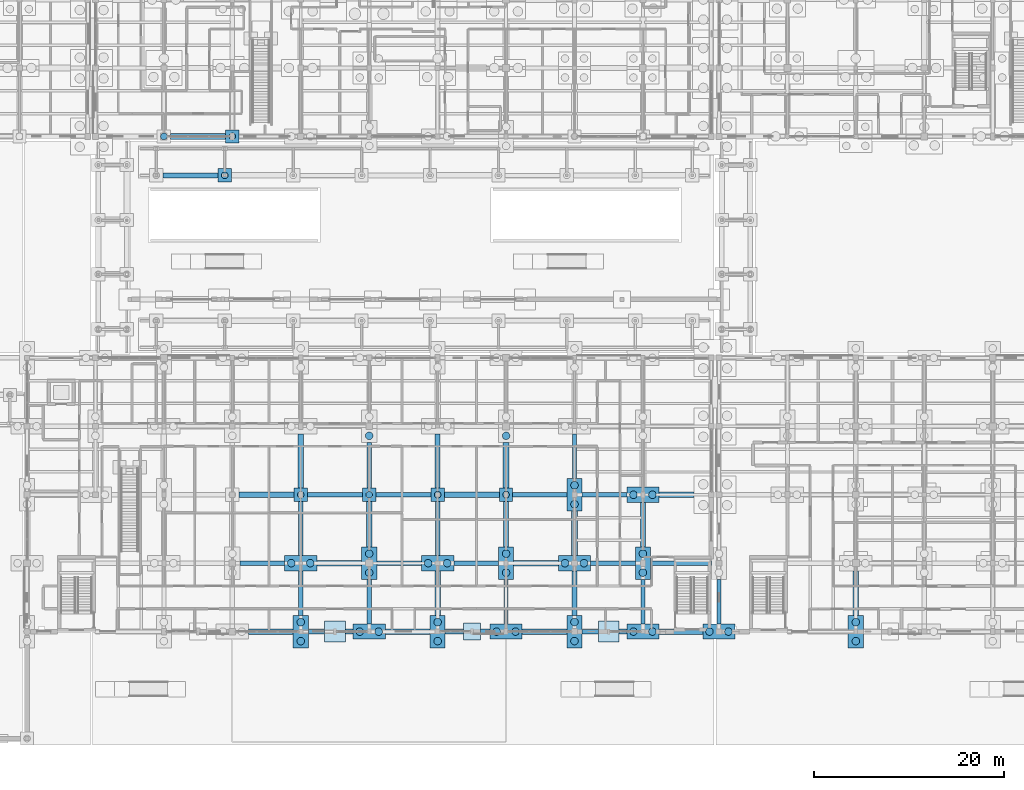
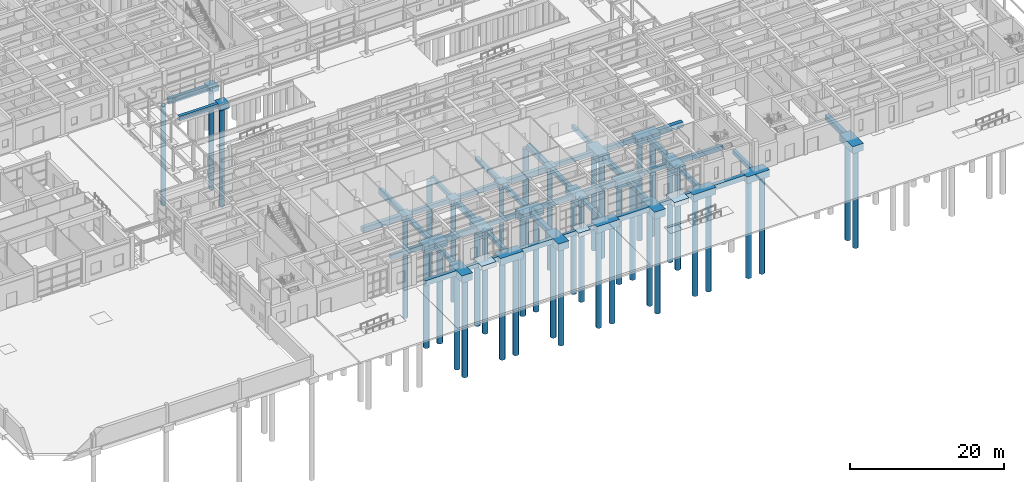
# One storey, part 3 of 143: 70 footings, 41 piles.
"""IFC4 building model written with IfcOpenShell, lengths in metres."""

from ifc_helpers import new_model, si_unit, direction, frame, origin, origin_2d, place, context, subcontext, project, spatial, rectangle, circle, extrude, material, material_profile, profile_set, type_object, element, save


model = new_model("IFC4")

# Units and contexts
model_context = context("Model", 3, precision=1e-05, world=origin(), true_north=direction((0.0, 1.0)))
body_context = subcontext(model_context, "Body", "Model", "MODEL_VIEW")
ifc_project = project(units=[si_unit("LENGTHUNIT", "METRE"), si_unit("AREAUNIT", "SQUARE_METRE"), si_unit("VOLUMEUNIT", "CUBIC_METRE"), si_unit("PLANEANGLEUNIT", "RADIAN"), si_unit("MASSUNIT", "GRAM", prefix="KILO")], contexts=[model_context])

# Site, building, storey
site_placement = place(None, origin())
site = spatial("IfcSite", under=ifc_project, at=site_placement, CompositionType="ELEMENT")
building_placement = place(site_placement, origin())
building = spatial("IfcBuilding", under=site, at=building_placement, Name="Steenspoor Specialist Clinic", CompositionType="ELEMENT")
storey_placement = place(building_placement, origin())
storey = spatial("IfcBuildingStorey", under=building, at=storey_placement, Name="L00", CompositionType="ELEMENT", Elevation=0.0)

# Footings
ifc_material = material(Name="Concrete C35/45", Category="concrete")
footing_type_1 = type_object("IfcFootingType", Name="FTG-PAD-180", PredefinedType="PAD_FOOTING", material=ifc_material)
footing_1_placement = place(storey_placement, frame((92.0, 13.050048828125, -0.64990234375), z_axis=(0.0, 0.0, 1.0), x_axis=(1.0, 0.0, 0.0)))
element("IfcFooting", 1, at=footing_1_placement, inside=storey, type_object=footing_type_1, Name="Pad Footing FTG-PAD-067", PredefinedType="PAD_FOOTING", context=body_context, shape_type="SweptSolid", body=[
    extrude(rectangle(XDim=1.800048828125, YDim=1.800048828125, at=origin_2d()), origin(), (0.0, 0.0, 1.0), 0.64990234375),
])
footing_type_2 = type_object("IfcFootingType", Name="FTG-PAD-220", PredefinedType="PAD_FOOTING", material=ifc_material)
for number, where, z_axis, x_axis, name in (
    (2, (77.60009765625, 13.050048828125, -0.75), (0.0, 0.0, 1.0), (1.0, 0.0, 0.0), "Pad Footing FTG-PAD-066"),
    (3, (106.39990234375, 13.050048828125, -0.75), (0.0, 0.0, 1.0), (1.0, 0.0, 0.0), "Pad Footing FTG-PAD-068"),
):
    element("IfcFooting", number, at=place(storey_placement, frame(where, z_axis=z_axis, x_axis=x_axis)), inside=storey, type_object=footing_type_2, Name=name, PredefinedType="PAD_FOOTING", context=body_context, shape_type="SweptSolid", body=[
        extrude(rectangle(XDim=2.199951171875, YDim=2.199951171875, at=origin_2d()), origin(), (0.0, 0.0, 1.0), 0.75),
    ])
footing_type_3 = type_object("IfcFootingType", Name="FTG-PC-1P-700", PredefinedType="PILE_CAP", material=ifc_material)
for number, where, z_axis, x_axis, name in (
    (4, (74.0, 27.449951171875, -0.89990234375), (0.0, 0.0, 1.0), (1.0, 0.0, 0.0), "Pile Cap FTG-PC-021"),
    (5, (81.199951171875, 27.449951171875, -0.89990234375), (0.0, 0.0, 1.0), (1.0, 0.0, 0.0), "Pile Cap FTG-PC-026"),
    (6, (88.39990234375, 27.449951171875, -0.89990234375), (0.0, 0.0, 1.0), (1.0, 0.0, 0.0), "Pile Cap FTG-PC-031"),
    (7, (95.60009765625, 27.449951171875, -0.89990234375), (0.0, 0.0, 1.0), (1.0, 0.0, 0.0), "Pile Cap FTG-PC-036"),
    (8, (66.800048828125, 65.14990234375, -0.89990234375), (0.0, 0.0, 1.0), (1.0, 0.0, 0.0), "Pile Cap FTG-PC-114"),
    (9, (66.0, 61.050048828125, -0.89990234375), (0.0, 0.0, 1.0), (1.0, 0.0, 0.0), "Pad Footing FTG-PAD-029"),
):
    element("IfcFooting", number, at=place(storey_placement, frame(where, z_axis=z_axis, x_axis=x_axis)), inside=storey, type_object=footing_type_3, Name=name, PredefinedType="PILE_CAP", context=body_context, shape_type="SweptSolid", body=[
        extrude(rectangle(XDim=1.39990234375, YDim=1.39990234375, at=origin_2d()), origin(), (0.0, 0.0, 1.0), 0.89990234375),
    ])
footing_type_4 = type_object("IfcFootingType", Name="FTG-PC-2P-800X", PredefinedType="PILE_CAP", material=ifc_material)
for number, where, z_axis, x_axis, name in (
    (10, (74.0, 20.25, -1.10009765625), (0.0, 0.0, 1.0), (1.0, 0.0, 0.0), "Pile Cap FTG-PC-020"),
    (11, (81.199951171875, 13.050048828125, -1.10009765625), (0.0, 0.0, 1.0), (1.0, 0.0, 0.0), "Pile Cap FTG-PC-024"),
    (12, (88.39990234375, 20.25, -1.10009765625), (0.0, 0.0, 1.0), (1.0, 0.0, 0.0), "Pile Cap FTG-PC-030"),
    (13, (95.60009765625, 13.050048828125, -1.10009765625), (0.0, 0.0, 1.0), (1.0, 0.0, 0.0), "Pile Cap FTG-PC-034"),
    (14, (102.800048828125, 20.25, -1.10009765625), (0.0, 0.0, 1.0), (1.0, 0.0, 0.0), "Pile Cap FTG-PC-040"),
    (15, (110.0, 13.050048828125, -1.10009765625), (0.0, 0.0, 1.0), (1.0, 0.0, 0.0), "Pile Cap FTG-PC-044"),
    (16, (110.0, 27.449951171875, -1.10009765625), (0.0, 0.0, 1.0), (1.0, 0.0, 0.0), "Pile Cap FTG-PC-046"),
    (17, (118.0, 13.050048828125, -1.10009765625), (0.0, 0.0, 1.0), (1.0, 0.0, 0.0), "Pile Cap FTG-PC-052"),
):
    element("IfcFooting", number, at=place(storey_placement, frame(where, z_axis=z_axis, x_axis=x_axis)), inside=storey, type_object=footing_type_4, Name=name, PredefinedType="PILE_CAP", context=body_context, shape_type="SweptSolid", body=[
        extrude(rectangle(XDim=3.39990234375, YDim=1.60009765625, at=origin_2d()), origin(), (0.0, 0.0, 1.0), 1.10009765625),
    ])
footing_type_5 = type_object("IfcFootingType", Name="FTG-PC-2P-800Y", PredefinedType="PILE_CAP", material=ifc_material)
for number, where, z_axis, x_axis, name in (
    (18, (74.0, 13.050048828125, -1.14990234375), (0.0, 0.0, 1.0), (1.0, 0.0, 0.0), "Pile Cap FTG-PC-019"),
    (19, (81.199951171875, 20.25, -1.14990234375), (0.0, 0.0, 1.0), (1.0, 0.0, 0.0), "Pile Cap FTG-PC-025"),
    (20, (88.39990234375, 13.050048828125, -1.14990234375), (0.0, 0.0, 1.0), (1.0, 0.0, 0.0), "Pile Cap FTG-PC-029"),
    (21, (95.60009765625, 20.25, -1.14990234375), (0.0, 0.0, 1.0), (1.0, 0.0, 0.0), "Pile Cap FTG-PC-035"),
    (22, (102.800048828125, 13.050048828125, -1.14990234375), (0.0, 0.0, 1.0), (1.0, 0.0, 0.0), "Pile Cap FTG-PC-039"),
    (23, (102.800048828125, 27.449951171875, -1.14990234375), (0.0, 0.0, 1.0), (1.0, 0.0, 0.0), "Pile Cap FTG-PC-041"),
    (24, (110.0, 20.25, -1.14990234375), (0.0, 0.0, 1.0), (1.0, 0.0, 0.0), "Pile Cap FTG-PC-045"),
    (25, (132.39990234375, 13.050048828125, -1.14990234375), (0.0, 0.0, 1.0), (1.0, 0.0, 0.0), "Pile Cap FTG-PC-057"),
):
    element("IfcFooting", number, at=place(storey_placement, frame(where, z_axis=z_axis, x_axis=x_axis)), inside=storey, type_object=footing_type_5, Name=name, PredefinedType="PILE_CAP", context=body_context, shape_type="SweptSolid", body=[
        extrude(rectangle(XDim=1.60009765625, YDim=3.39990234375, at=origin_2d()), origin(), (0.0, 0.0, 1.0), 1.14990234375),
    ])
footing_type_6 = type_object("IfcFootingType", Name="FTG-TB-450X650", PredefinedType="FOOTING_BEAM", material=ifc_material)
footing_2_placement = place(storey_placement, frame((75.64990234375, 13.050048828125, -0.64990234375), z_axis=(0.0, 0.0, 1.0), x_axis=(1.0, 0.0, 0.0)))
element("IfcFooting", 26, at=footing_2_placement, inside=storey, type_object=footing_type_6, Name="Seismic Tie Beam FTG-TB-005", PredefinedType="FOOTING_BEAM", context=body_context, shape_type="SweptSolid", body=[
    extrude(rectangle(XDim=1.699951171875, YDim=0.449951171875, at=origin_2d()), origin(), (0.0, 0.0, 1.0), 0.64990234375),
])
footing_3_placement = place(storey_placement, frame((90.14990234375, 13.050048828125, -0.64990234375), z_axis=(0.0, 0.0, 1.0), x_axis=(1.0, 0.0, 0.0)))
element("IfcFooting", 27, at=footing_3_placement, inside=storey, type_object=footing_type_6, Name="Seismic Tie Beam FTG-TB-008", PredefinedType="FOOTING_BEAM", context=body_context, shape_type="SweptSolid", body=[
    extrude(rectangle(XDim=1.89990234375, YDim=0.449951171875, at=origin_2d()), origin(), (0.0, 0.0, 1.0), 0.64990234375),
])
footing_4_placement = place(storey_placement, frame((104.449951171875, 13.050048828125, -0.64990234375), z_axis=(0.0, 0.0, 1.0), x_axis=(1.0, 0.0, 0.0)))
element("IfcFooting", 28, at=footing_4_placement, inside=storey, type_object=footing_type_6, Name="Seismic Tie Beam FTG-TB-011", PredefinedType="FOOTING_BEAM", context=body_context, shape_type="SweptSolid", body=[
    extrude(rectangle(XDim=1.699951171875, YDim=0.449951171875, at=origin_2d()), origin(), (0.0, 0.0, 1.0), 0.64990234375),
])
for number, where, z_axis, x_axis, name in (
    (29, (84.35009765625, 20.25, -0.64990234375), (0.0, 0.0, 1.0), (1.0, 0.0, 0.0), "Seismic Tie Beam FTG-TB-023"),
    (30, (106.85009765625, 20.25, -0.64990234375), (0.0, 0.0, 1.0), (1.0, 0.0, 0.0), "Seismic Tie Beam FTG-TB-026"),
):
    element("IfcFooting", number, at=place(storey_placement, frame(where, z_axis=z_axis, x_axis=x_axis)), inside=storey, type_object=footing_type_6, Name=name, PredefinedType="FOOTING_BEAM", context=body_context, shape_type="SweptSolid", body=[
        extrude(rectangle(XDim=4.699951171875, YDim=0.449951171875, at=origin_2d()), origin(), (0.0, 0.0, 1.0), 0.64990234375),
    ])
footing_5_placement = place(storey_placement, frame((77.60009765625, 27.449951171875, -0.64990234375), z_axis=(0.0, 0.0, 1.0), x_axis=(1.0, 0.0, 0.0)))
element("IfcFooting", 31, at=footing_5_placement, inside=storey, type_object=footing_type_6, Name="Seismic Tie Beam FTG-TB-035", PredefinedType="FOOTING_BEAM", context=body_context, shape_type="SweptSolid", body=[
    extrude(rectangle(XDim=5.800048828125, YDim=0.449951171875, at=origin_2d()), origin(), (0.0, 0.0, 1.0), 0.64990234375),
])
footing_6_placement = place(storey_placement, frame((99.14990234375, 27.449951171875, -0.64990234375), z_axis=(0.0, 0.0, 1.0), x_axis=(1.0, 0.0, 0.0)))
element("IfcFooting", 32, at=footing_6_placement, inside=storey, type_object=footing_type_6, Name="Seismic Tie Beam FTG-TB-038", PredefinedType="FOOTING_BEAM", context=body_context, shape_type="SweptSolid", body=[
    extrude(rectangle(XDim=5.699951171875, YDim=0.449951171875, at=origin_2d()), origin(), (0.0, 0.0, 1.0), 0.64990234375),
])
footing_7_placement = place(storey_placement, frame((74.0, 17.10009765625, -0.64990234375), z_axis=(0.0, 0.0, 1.0), x_axis=(1.0, 0.0, 0.0)))
element("IfcFooting", 33, at=footing_7_placement, inside=storey, type_object=footing_type_6, Name="Seismic Tie Beam FTG-TB-347", PredefinedType="FOOTING_BEAM", context=body_context, shape_type="SweptSolid", body=[
    extrude(rectangle(XDim=0.449951171875, YDim=4.699951171875, at=origin_2d()), origin(), (0.0, 0.0, 1.0), 0.64990234375),
])
footing_8_placement = place(storey_placement, frame((81.199951171875, 30.550048828125, -0.64990234375), z_axis=(0.0, 0.0, 1.0), x_axis=(1.0, 0.0, 0.0)))
element("IfcFooting", 34, at=footing_8_placement, inside=storey, type_object=footing_type_6, Name="Seismic Tie Beam FTG-TB-359", PredefinedType="FOOTING_BEAM", context=body_context, shape_type="SweptSolid", body=[
    extrude(rectangle(XDim=0.449951171875, YDim=4.800048828125, at=origin_2d()), origin(), (0.0, 0.0, 1.0), 0.64990234375),
])
footing_9_placement = place(storey_placement, frame((88.39990234375, 23.89990234375, -0.64990234375), z_axis=(0.0, 0.0, 1.0), x_axis=(1.0, 0.0, 0.0)))
element("IfcFooting", 35, at=footing_9_placement, inside=storey, type_object=footing_type_6, Name="Seismic Tie Beam FTG-TB-368", PredefinedType="FOOTING_BEAM", context=body_context, shape_type="SweptSolid", body=[
    extrude(rectangle(XDim=0.449951171875, YDim=5.699951171875, at=origin_2d()), origin(), (0.0, 0.0, 1.0), 0.64990234375),
])
for number, where, z_axis, x_axis, name in (
    (36, (95.60009765625, 16.199951171875, -0.64990234375), (0.0, 0.0, 1.0), (1.0, 0.0, 0.0), "Seismic Tie Beam FTG-TB-377"),
    (37, (102.800048828125, 31.5, -0.64990234375), (0.0, 0.0, 1.0), (1.0, 0.0, 0.0), "Seismic Tie Beam FTG-TB-389"),
    (38, (110.0, 16.199951171875, -0.64990234375), (0.0, 0.0, 1.0), (1.0, 0.0, 0.0), "Seismic Tie Beam FTG-TB-395"),
    (39, (118.0, 16.199951171875, -0.64990234375), (0.0, 0.0, 1.0), (1.0, 0.0, 0.0), "Seismic Tie Beam FTG-TB-413"),
):
    element("IfcFooting", number, at=place(storey_placement, frame(where, z_axis=z_axis, x_axis=x_axis)), inside=storey, type_object=footing_type_6, Name=name, PredefinedType="FOOTING_BEAM", context=body_context, shape_type="SweptSolid", body=[
        extrude(rectangle(XDim=0.449951171875, YDim=4.699951171875, at=origin_2d()), origin(), (0.0, 0.0, 1.0), 0.64990234375),
    ])
footing_type_7 = type_object("IfcFootingType", Name="FTG-TB-500X700", PredefinedType="FOOTING_BEAM", material=ifc_material)
footing_10_placement = place(storey_placement, frame((79.10009765625, 13.050048828125, -0.7001953125), z_axis=(0.0, 0.0, 1.0), x_axis=(1.0, 0.0, 0.0)))
element("IfcFooting", 40, at=footing_10_placement, inside=storey, type_object=footing_type_7, Name="Seismic Tie Beam FTG-TB-006", PredefinedType="FOOTING_BEAM", context=body_context, shape_type="SweptSolid", body=[
    extrude(rectangle(XDim=0.800048828125, YDim=0.5, at=origin_2d()), origin(), (0.0, 0.0, 1.0), 0.699951171875),
])
footing_11_placement = place(storey_placement, frame((93.39990234375, 13.050048828125, -0.7001953125), z_axis=(0.0, 0.0, 1.0), x_axis=(1.0, 0.0, 0.0)))
element("IfcFooting", 41, at=footing_11_placement, inside=storey, type_object=footing_type_7, Name="Seismic Tie Beam FTG-TB-009", PredefinedType="FOOTING_BEAM", context=body_context, shape_type="SweptSolid", body=[
    extrude(rectangle(XDim=1.0, YDim=0.5, at=origin_2d()), origin(), (0.0, 0.0, 1.0), 0.699951171875),
])
footing_12_placement = place(storey_placement, frame((107.89990234375, 13.050048828125, -0.7001953125), z_axis=(0.0, 0.0, 1.0), x_axis=(1.0, 0.0, 0.0)))
element("IfcFooting", 42, at=footing_12_placement, inside=storey, type_object=footing_type_7, Name="Seismic Tie Beam FTG-TB-012", PredefinedType="FOOTING_BEAM", context=body_context, shape_type="SweptSolid", body=[
    extrude(rectangle(XDim=0.800048828125, YDim=0.5, at=origin_2d()), origin(), (0.0, 0.0, 1.0), 0.699951171875),
])
for number, where, z_axis, x_axis, name in (
    (43, (69.949951171875, 20.25, -0.7001953125), (0.0, 0.0, 1.0), (1.0, 0.0, 0.0), "Seismic Tie Beam FTG-TB-021"),
    (44, (92.449951171875, 20.25, -0.7001953125), (0.0, 0.0, 1.0), (1.0, 0.0, 0.0), "Seismic Tie Beam FTG-TB-024"),
):
    element("IfcFooting", number, at=place(storey_placement, frame(where, z_axis=z_axis, x_axis=x_axis)), inside=storey, type_object=footing_type_7, Name=name, PredefinedType="FOOTING_BEAM", context=body_context, shape_type="SweptSolid", body=[
        extrude(rectangle(XDim=4.699951171875, YDim=0.5, at=origin_2d()), origin(), (0.0, 0.0, 1.0), 0.699951171875),
    ])
footing_13_placement = place(storey_placement, frame((114.0, 20.25, -0.7001953125), z_axis=(0.0, 0.0, 1.0), x_axis=(1.0, 0.0, 0.0)))
element("IfcFooting", 45, at=footing_13_placement, inside=storey, type_object=footing_type_7, Name="Seismic Tie Beam FTG-TB-027", PredefinedType="FOOTING_BEAM", context=body_context, shape_type="SweptSolid", body=[
    extrude(rectangle(XDim=6.39990234375, YDim=0.5, at=origin_2d()), origin(), (0.0, 0.0, 1.0), 0.699951171875),
])
footing_14_placement = place(storey_placement, frame((84.800048828125, 27.449951171875, -0.7001953125), z_axis=(0.0, 0.0, 1.0), x_axis=(1.0, 0.0, 0.0)))
element("IfcFooting", 46, at=footing_14_placement, inside=storey, type_object=footing_type_7, Name="Seismic Tie Beam FTG-TB-036", PredefinedType="FOOTING_BEAM", context=body_context, shape_type="SweptSolid", body=[
    extrude(rectangle(XDim=5.800048828125, YDim=0.5, at=origin_2d()), origin(), (0.0, 0.0, 1.0), 0.699951171875),
])
footing_15_placement = place(storey_placement, frame((105.949951171875, 27.449951171875, -0.7001953125), z_axis=(0.0, 0.0, 1.0), x_axis=(1.0, 0.0, 0.0)))
element("IfcFooting", 47, at=footing_15_placement, inside=storey, type_object=footing_type_7, Name="Seismic Tie Beam FTG-TB-039", PredefinedType="FOOTING_BEAM", context=body_context, shape_type="SweptSolid", body=[
    extrude(rectangle(XDim=4.699951171875, YDim=0.5, at=origin_2d()), origin(), (0.0, 0.0, 1.0), 0.699951171875),
])
footing_16_placement = place(storey_placement, frame((62.39990234375, 61.050048828125, -0.7001953125), z_axis=(0.0, 0.0, 1.0), x_axis=(1.0, 0.0, 0.0)))
element("IfcFooting", 48, at=footing_16_placement, inside=storey, type_object=footing_type_7, Name="Seismic Tie Beam FTG-TB-120", PredefinedType="FOOTING_BEAM", context=body_context, shape_type="SweptSolid", body=[
    extrude(rectangle(XDim=5.800048828125, YDim=0.5, at=origin_2d()), origin(), (0.0, 0.0, 1.0), 0.699951171875),
])
footing_17_placement = place(storey_placement, frame((74.0, 23.89990234375, -0.7001953125), z_axis=(0.0, 0.0, 1.0), x_axis=(1.0, 0.0, 0.0)))
element("IfcFooting", 49, at=footing_17_placement, inside=storey, type_object=footing_type_7, Name="Seismic Tie Beam FTG-TB-348", PredefinedType="FOOTING_BEAM", context=body_context, shape_type="SweptSolid", body=[
    extrude(rectangle(XDim=0.5, YDim=5.699951171875, at=origin_2d()), origin(), (0.0, 0.0, 1.0), 0.699951171875),
])
footing_18_placement = place(storey_placement, frame((81.199951171875, 16.199951171875, -0.7001953125), z_axis=(0.0, 0.0, 1.0), x_axis=(1.0, 0.0, 0.0)))
element("IfcFooting", 50, at=footing_18_placement, inside=storey, type_object=footing_type_7, Name="Seismic Tie Beam FTG-TB-357", PredefinedType="FOOTING_BEAM", context=body_context, shape_type="SweptSolid", body=[
    extrude(rectangle(XDim=0.5, YDim=4.699951171875, at=origin_2d()), origin(), (0.0, 0.0, 1.0), 0.699951171875),
])
footing_19_placement = place(storey_placement, frame((88.39990234375, 31.0, -0.7001953125), z_axis=(0.0, 0.0, 1.0), x_axis=(1.0, 0.0, 0.0)))
element("IfcFooting", 51, at=footing_19_placement, inside=storey, type_object=footing_type_7, Name="Seismic Tie Beam FTG-TB-369", PredefinedType="FOOTING_BEAM", context=body_context, shape_type="SweptSolid", body=[
    extrude(rectangle(XDim=0.5, YDim=5.699951171875, at=origin_2d()), origin(), (0.0, 0.0, 1.0), 0.699951171875),
])
footing_20_placement = place(storey_placement, frame((95.60009765625, 24.35009765625, -0.7001953125), z_axis=(0.0, 0.0, 1.0), x_axis=(1.0, 0.0, 0.0)))
element("IfcFooting", 52, at=footing_20_placement, inside=storey, type_object=footing_type_7, Name="Seismic Tie Beam FTG-TB-378", PredefinedType="FOOTING_BEAM", context=body_context, shape_type="SweptSolid", body=[
    extrude(rectangle(XDim=0.5, YDim=4.800048828125, at=origin_2d()), origin(), (0.0, 0.0, 1.0), 0.699951171875),
])
for number, where, z_axis, x_axis, name in (
    (53, (102.800048828125, 17.10009765625, -0.7001953125), (0.0, 0.0, 1.0), (1.0, 0.0, 0.0), "Seismic Tie Beam FTG-TB-387"),
    (54, (110.0, 24.300048828125, -0.7001953125), (0.0, 0.0, 1.0), (1.0, 0.0, 0.0), "Seismic Tie Beam FTG-TB-396"),
):
    element("IfcFooting", number, at=place(storey_placement, frame(where, z_axis=z_axis, x_axis=x_axis)), inside=storey, type_object=footing_type_7, Name=name, PredefinedType="FOOTING_BEAM", context=body_context, shape_type="SweptSolid", body=[
        extrude(rectangle(XDim=0.5, YDim=4.699951171875, at=origin_2d()), origin(), (0.0, 0.0, 1.0), 0.699951171875),
    ])
footing_type_8 = type_object("IfcFootingType", Name="FTG-TB-600X800", PredefinedType="FOOTING_BEAM", material=ifc_material)
for number, where, z_axis, x_axis, name in (
    (55, (70.85009765625, 13.050048828125, -0.7998046875), (0.0, 0.0, 1.0), (1.0, 0.0, 0.0), "Seismic Tie Beam FTG-TB-004"),
    (56, (85.25, 13.050048828125, -0.7998046875), (0.0, 0.0, 1.0), (1.0, 0.0, 0.0), "Seismic Tie Beam FTG-TB-007"),
    (57, (99.64990234375, 13.050048828125, -0.7998046875), (0.0, 0.0, 1.0), (1.0, 0.0, 0.0), "Seismic Tie Beam FTG-TB-010"),
):
    element("IfcFooting", number, at=place(storey_placement, frame(where, z_axis=z_axis, x_axis=x_axis)), inside=storey, type_object=footing_type_8, Name=name, PredefinedType="FOOTING_BEAM", context=body_context, shape_type="SweptSolid", body=[
        extrude(rectangle(XDim=4.699951171875, YDim=0.60009765625, at=origin_2d()), origin(), (0.0, 0.0, 1.0), 0.800048828125),
    ])
footing_21_placement = place(storey_placement, frame((114.0, 13.050048828125, -0.7998046875), z_axis=(0.0, 0.0, 1.0), x_axis=(1.0, 0.0, 0.0)))
element("IfcFooting", 58, at=footing_21_placement, inside=storey, type_object=footing_type_8, Name="Seismic Tie Beam FTG-TB-013", PredefinedType="FOOTING_BEAM", context=body_context, shape_type="SweptSolid", body=[
    extrude(rectangle(XDim=4.60009765625, YDim=0.60009765625, at=origin_2d()), origin(), (0.0, 0.0, 1.0), 0.800048828125),
])
for number, where, z_axis, x_axis, name in (
    (59, (78.050048828125, 20.25, -0.7998046875), (0.0, 0.0, 1.0), (1.0, 0.0, 0.0), "Seismic Tie Beam FTG-TB-022"),
    (60, (98.75, 20.25, -0.7998046875), (0.0, 0.0, 1.0), (1.0, 0.0, 0.0), "Seismic Tie Beam FTG-TB-025"),
):
    element("IfcFooting", number, at=place(storey_placement, frame(where, z_axis=z_axis, x_axis=x_axis)), inside=storey, type_object=footing_type_8, Name=name, PredefinedType="FOOTING_BEAM", context=body_context, shape_type="SweptSolid", body=[
        extrude(rectangle(XDim=4.699951171875, YDim=0.60009765625, at=origin_2d()), origin(), (0.0, 0.0, 1.0), 0.800048828125),
    ])
for number, where, z_axis, x_axis, name in (
    (61, (70.39990234375, 27.449951171875, -0.7998046875), (0.0, 0.0, 1.0), (1.0, 0.0, 0.0), "Seismic Tie Beam FTG-TB-034"),
    (62, (92.0, 27.449951171875, -0.7998046875), (0.0, 0.0, 1.0), (1.0, 0.0, 0.0), "Seismic Tie Beam FTG-TB-037"),
):
    element("IfcFooting", number, at=place(storey_placement, frame(where, z_axis=z_axis, x_axis=x_axis)), inside=storey, type_object=footing_type_8, Name=name, PredefinedType="FOOTING_BEAM", context=body_context, shape_type="SweptSolid", body=[
        extrude(rectangle(XDim=5.800048828125, YDim=0.60009765625, at=origin_2d()), origin(), (0.0, 0.0, 1.0), 0.800048828125),
    ])
footing_22_placement = place(storey_placement, frame((113.550048828125, 27.449951171875, -0.7998046875), z_axis=(0.0, 0.0, 1.0), x_axis=(1.0, 0.0, 0.0)))
element("IfcFooting", 63, at=footing_22_placement, inside=storey, type_object=footing_type_8, Name="Seismic Tie Beam FTG-TB-040", PredefinedType="FOOTING_BEAM", context=body_context, shape_type="SweptSolid", body=[
    extrude(rectangle(XDim=3.699951171875, YDim=0.60009765625, at=origin_2d()), origin(), (0.0, 0.0, 1.0), 0.800048828125),
])
footing_23_placement = place(storey_placement, frame((63.199951171875, 65.14990234375, -0.7998046875), z_axis=(0.0, 0.0, 1.0), x_axis=(1.0, 0.0, 0.0)))
element("IfcFooting", 64, at=footing_23_placement, inside=storey, type_object=footing_type_8, Name="Seismic Tie Beam FTG-TB-136", PredefinedType="FOOTING_BEAM", context=body_context, shape_type="SweptSolid", body=[
    extrude(rectangle(XDim=5.800048828125, YDim=0.60009765625, at=origin_2d()), origin(), (0.0, 0.0, 1.0), 0.800048828125),
])
footing_24_placement = place(storey_placement, frame((74.0, 31.0, -0.7998046875), z_axis=(0.0, 0.0, 1.0), x_axis=(1.0, 0.0, 0.0)))
element("IfcFooting", 65, at=footing_24_placement, inside=storey, type_object=footing_type_8, Name="Seismic Tie Beam FTG-TB-349", PredefinedType="FOOTING_BEAM", context=body_context, shape_type="SweptSolid", body=[
    extrude(rectangle(XDim=0.60009765625, YDim=5.699951171875, at=origin_2d()), origin(), (0.0, 0.0, 1.0), 0.800048828125),
])
footing_25_placement = place(storey_placement, frame((81.199951171875, 24.35009765625, -0.7998046875), z_axis=(0.0, 0.0, 1.0), x_axis=(1.0, 0.0, 0.0)))
element("IfcFooting", 66, at=footing_25_placement, inside=storey, type_object=footing_type_8, Name="Seismic Tie Beam FTG-TB-358", PredefinedType="FOOTING_BEAM", context=body_context, shape_type="SweptSolid", body=[
    extrude(rectangle(XDim=0.60009765625, YDim=4.800048828125, at=origin_2d()), origin(), (0.0, 0.0, 1.0), 0.800048828125),
])
footing_26_placement = place(storey_placement, frame((88.39990234375, 17.10009765625, -0.7998046875), z_axis=(0.0, 0.0, 1.0), x_axis=(1.0, 0.0, 0.0)))
element("IfcFooting", 67, at=footing_26_placement, inside=storey, type_object=footing_type_8, Name="Seismic Tie Beam FTG-TB-367", PredefinedType="FOOTING_BEAM", context=body_context, shape_type="SweptSolid", body=[
    extrude(rectangle(XDim=0.60009765625, YDim=4.699951171875, at=origin_2d()), origin(), (0.0, 0.0, 1.0), 0.800048828125),
])
footing_27_placement = place(storey_placement, frame((95.60009765625, 30.550048828125, -0.7998046875), z_axis=(0.0, 0.0, 1.0), x_axis=(1.0, 0.0, 0.0)))
element("IfcFooting", 68, at=footing_27_placement, inside=storey, type_object=footing_type_8, Name="Seismic Tie Beam FTG-TB-379", PredefinedType="FOOTING_BEAM", context=body_context, shape_type="SweptSolid", body=[
    extrude(rectangle(XDim=0.60009765625, YDim=4.800048828125, at=origin_2d()), origin(), (0.0, 0.0, 1.0), 0.800048828125),
])
for number, where, z_axis, x_axis, name in (
    (69, (102.800048828125, 23.39990234375, -0.7998046875), (0.0, 0.0, 1.0), (1.0, 0.0, 0.0), "Seismic Tie Beam FTG-TB-388"),
    (70, (132.39990234375, 17.10009765625, -0.7998046875), (0.0, 0.0, 1.0), (1.0, 0.0, 0.0), "Seismic Tie Beam FTG-TB-427"),
):
    element("IfcFooting", number, at=place(storey_placement, frame(where, z_axis=z_axis, x_axis=x_axis)), inside=storey, type_object=footing_type_8, Name=name, PredefinedType="FOOTING_BEAM", context=body_context, shape_type="SweptSolid", body=[
        extrude(rectangle(XDim=0.60009765625, YDim=4.699951171875, at=origin_2d()), origin(), (0.0, 0.0, 1.0), 0.800048828125),
    ])

# Piles
ifc_material_profile_1 = material_profile(ifc_material, circle(Radius=0.35009765625, at=origin_2d()), Name="PILE-D700")
ifc_profile_set_1 = profile_set([ifc_material_profile_1], Name="Concrete C35/45")
pile_type_1 = type_object("IfcPileType", Name="PILE-RC-D700", PredefinedType="BORED", material=ifc_profile_set_1)
for number, where, z_axis, x_axis, name in (
    (71, (74.0, 27.449951171875, -0.800048828125), (0.0, 0.0, -1.0), (1.0, 0.0, 0.0), "Bored Pile PILE-0040"),
    (72, (81.199951171875, 27.449951171875, -0.800048828125), (0.0, 0.0, -1.0), (1.0, 0.0, 0.0), "Bored Pile PILE-0049"),
    (73, (88.39990234375, 27.449951171875, -0.800048828125), (0.0, 0.0, -1.0), (1.0, 0.0, 0.0), "Bored Pile PILE-0058"),
    (74, (95.60009765625, 27.449951171875, -0.800048828125), (0.0, 0.0, -1.0), (1.0, 0.0, 0.0), "Bored Pile PILE-0067"),
    (75, (59.60009765625, 65.14990234375, -0.800048828125), (0.0, 0.0, -1.0), (1.0, 0.0, 0.0), "Bored Pile PILE-0208"),
    (76, (66.800048828125, 65.14990234375, -0.800048828125), (0.0, 0.0, -1.0), (1.0, 0.0, 0.0), "Bored Pile PILE-0230"),
    (77, (66.0, 61.050048828125, -0.800048828125), (0.0, 0.0, -1.0), (1.0, 0.0, 0.0), "Bored Pile PILE-0638"),
):
    element("IfcPile", number, at=place(storey_placement, frame(where, z_axis=z_axis, x_axis=x_axis)), inside=storey, type_object=pile_type_1, Name=name, PredefinedType="BORED", context=body_context, shape_type="SweptSolid", body=[
        extrude(circle(Radius=0.35009765625, at=origin_2d()), origin(), (0.0, 0.0, 1.0), 15.699951171875),
    ])
ifc_material_profile_2 = material_profile(ifc_material, circle(Radius=0.39990234375, at=origin_2d()), Name="PILE-D800")
ifc_profile_set_2 = profile_set([ifc_material_profile_2], Name="Concrete C35/45")
pile_type_2 = type_object("IfcPileType", Name="PILE-RC-D800", PredefinedType="BORED", material=ifc_profile_set_2)
for number, where, z_axis, x_axis, name in (
    (78, (74.0, 12.050048828125, -1.050048828125), (0.0, 0.0, -1.0), (1.0, 0.0, 0.0), "Bored Pile PILE-0036"),
    (79, (74.0, 14.050048828125, -1.050048828125), (0.0, 0.0, -1.0), (1.0, 0.0, 0.0), "Bored Pile PILE-0037"),
):
    element("IfcPile", number, at=place(storey_placement, frame(where, z_axis=z_axis, x_axis=x_axis)), inside=storey, type_object=pile_type_2, Name=name, PredefinedType="BORED", context=body_context, shape_type="SweptSolid", body=[
        extrude(circle(Radius=0.39990234375, at=origin_2d()), origin(), (0.0, 0.0, 1.0), 15.449951171875),
    ])
for number, where, z_axis, x_axis, name in (
    (80, (73.0, 20.25, -1.0), (0.0, 0.0, -1.0), (1.0, 0.0, 0.0), "Bored Pile PILE-0038"),
    (81, (75.0, 20.25, -1.0), (0.0, 0.0, -1.0), (1.0, 0.0, 0.0), "Bored Pile PILE-0039"),
    (82, (80.199951171875, 13.050048828125, -1.0), (0.0, 0.0, -1.0), (1.0, 0.0, 0.0), "Bored Pile PILE-0045"),
    (83, (82.199951171875, 13.050048828125, -1.0), (0.0, 0.0, -1.0), (1.0, 0.0, 0.0), "Bored Pile PILE-0046"),
):
    element("IfcPile", number, at=place(storey_placement, frame(where, z_axis=z_axis, x_axis=x_axis)), inside=storey, type_object=pile_type_2, Name=name, PredefinedType="BORED", context=body_context, shape_type="SweptSolid", body=[
        extrude(circle(Radius=0.39990234375, at=origin_2d()), origin(), (0.0, 0.0, 1.0), 15.5),
    ])
for number, where, z_axis, x_axis, name in (
    (84, (81.199951171875, 19.25, -1.050048828125), (0.0, 0.0, -1.0), (1.0, 0.0, 0.0), "Bored Pile PILE-0047"),
    (85, (81.199951171875, 21.25, -1.050048828125), (0.0, 0.0, -1.0), (1.0, 0.0, 0.0), "Bored Pile PILE-0048"),
    (86, (81.199951171875, 33.64990234375, -1.050048828125), (0.0, 0.0, -1.0), (1.0, 0.0, 0.0), "Bored Pile PILE-0050"),
    (87, (88.39990234375, 12.050048828125, -1.050048828125), (0.0, 0.0, -1.0), (1.0, 0.0, 0.0), "Bored Pile PILE-0054"),
    (88, (88.39990234375, 14.050048828125, -1.050048828125), (0.0, 0.0, -1.0), (1.0, 0.0, 0.0), "Bored Pile PILE-0055"),
):
    element("IfcPile", number, at=place(storey_placement, frame(where, z_axis=z_axis, x_axis=x_axis)), inside=storey, type_object=pile_type_2, Name=name, PredefinedType="BORED", context=body_context, shape_type="SweptSolid", body=[
        extrude(circle(Radius=0.39990234375, at=origin_2d()), origin(), (0.0, 0.0, 1.0), 15.449951171875),
    ])
for number, where, z_axis, x_axis, name in (
    (89, (87.39990234375, 20.25, -1.0), (0.0, 0.0, -1.0), (1.0, 0.0, 0.0), "Bored Pile PILE-0056"),
    (90, (89.39990234375, 20.25, -1.0), (0.0, 0.0, -1.0), (1.0, 0.0, 0.0), "Bored Pile PILE-0057"),
    (91, (94.60009765625, 13.050048828125, -1.0), (0.0, 0.0, -1.0), (1.0, 0.0, 0.0), "Bored Pile PILE-0063"),
    (92, (96.60009765625, 13.050048828125, -1.0), (0.0, 0.0, -1.0), (1.0, 0.0, 0.0), "Bored Pile PILE-0064"),
):
    element("IfcPile", number, at=place(storey_placement, frame(where, z_axis=z_axis, x_axis=x_axis)), inside=storey, type_object=pile_type_2, Name=name, PredefinedType="BORED", context=body_context, shape_type="SweptSolid", body=[
        extrude(circle(Radius=0.39990234375, at=origin_2d()), origin(), (0.0, 0.0, 1.0), 15.5),
    ])
for number, where, z_axis, x_axis, name in (
    (93, (95.60009765625, 19.25, -1.050048828125), (0.0, 0.0, -1.0), (1.0, 0.0, 0.0), "Bored Pile PILE-0065"),
    (94, (95.60009765625, 21.25, -1.050048828125), (0.0, 0.0, -1.0), (1.0, 0.0, 0.0), "Bored Pile PILE-0066"),
    (95, (95.60009765625, 33.64990234375, -1.050048828125), (0.0, 0.0, -1.0), (1.0, 0.0, 0.0), "Bored Pile PILE-0068"),
    (96, (102.800048828125, 12.050048828125, -1.050048828125), (0.0, 0.0, -1.0), (1.0, 0.0, 0.0), "Bored Pile PILE-0072"),
    (97, (102.800048828125, 14.050048828125, -1.050048828125), (0.0, 0.0, -1.0), (1.0, 0.0, 0.0), "Bored Pile PILE-0073"),
):
    element("IfcPile", number, at=place(storey_placement, frame(where, z_axis=z_axis, x_axis=x_axis)), inside=storey, type_object=pile_type_2, Name=name, PredefinedType="BORED", context=body_context, shape_type="SweptSolid", body=[
        extrude(circle(Radius=0.39990234375, at=origin_2d()), origin(), (0.0, 0.0, 1.0), 15.449951171875),
    ])
for number, where, z_axis, x_axis, name in (
    (98, (101.800048828125, 20.25, -1.0), (0.0, 0.0, -1.0), (1.0, 0.0, 0.0), "Bored Pile PILE-0074"),
    (99, (103.800048828125, 20.25, -1.0), (0.0, 0.0, -1.0), (1.0, 0.0, 0.0), "Bored Pile PILE-0075"),
):
    element("IfcPile", number, at=place(storey_placement, frame(where, z_axis=z_axis, x_axis=x_axis)), inside=storey, type_object=pile_type_2, Name=name, PredefinedType="BORED", context=body_context, shape_type="SweptSolid", body=[
        extrude(circle(Radius=0.39990234375, at=origin_2d()), origin(), (0.0, 0.0, 1.0), 15.5),
    ])
for number, where, z_axis, x_axis, name in (
    (100, (102.800048828125, 26.449951171875, -1.050048828125), (0.0, 0.0, -1.0), (1.0, 0.0, 0.0), "Bored Pile PILE-0076"),
    (101, (102.800048828125, 28.449951171875, -1.050048828125), (0.0, 0.0, -1.0), (1.0, 0.0, 0.0), "Bored Pile PILE-0077"),
):
    element("IfcPile", number, at=place(storey_placement, frame(where, z_axis=z_axis, x_axis=x_axis)), inside=storey, type_object=pile_type_2, Name=name, PredefinedType="BORED", context=body_context, shape_type="SweptSolid", body=[
        extrude(circle(Radius=0.39990234375, at=origin_2d()), origin(), (0.0, 0.0, 1.0), 15.449951171875),
    ])
for number, where, z_axis, x_axis, name in (
    (102, (109.0, 13.050048828125, -1.0), (0.0, 0.0, -1.0), (1.0, 0.0, 0.0), "Bored Pile PILE-0082"),
    (103, (111.0, 13.050048828125, -1.0), (0.0, 0.0, -1.0), (1.0, 0.0, 0.0), "Bored Pile PILE-0083"),
):
    element("IfcPile", number, at=place(storey_placement, frame(where, z_axis=z_axis, x_axis=x_axis)), inside=storey, type_object=pile_type_2, Name=name, PredefinedType="BORED", context=body_context, shape_type="SweptSolid", body=[
        extrude(circle(Radius=0.39990234375, at=origin_2d()), origin(), (0.0, 0.0, 1.0), 15.5),
    ])
for number, where, z_axis, x_axis, name in (
    (104, (110.0, 19.25, -1.050048828125), (0.0, 0.0, -1.0), (1.0, 0.0, 0.0), "Bored Pile PILE-0084"),
    (105, (110.0, 21.25, -1.050048828125), (0.0, 0.0, -1.0), (1.0, 0.0, 0.0), "Bored Pile PILE-0085"),
):
    element("IfcPile", number, at=place(storey_placement, frame(where, z_axis=z_axis, x_axis=x_axis)), inside=storey, type_object=pile_type_2, Name=name, PredefinedType="BORED", context=body_context, shape_type="SweptSolid", body=[
        extrude(circle(Radius=0.39990234375, at=origin_2d()), origin(), (0.0, 0.0, 1.0), 15.449951171875),
    ])
for number, where, z_axis, x_axis, name in (
    (106, (109.0, 27.449951171875, -1.0), (0.0, 0.0, -1.0), (1.0, 0.0, 0.0), "Bored Pile PILE-0086"),
    (107, (111.0, 27.449951171875, -1.0), (0.0, 0.0, -1.0), (1.0, 0.0, 0.0), "Bored Pile PILE-0087"),
    (108, (117.0, 13.050048828125, -1.0), (0.0, 0.0, -1.0), (1.0, 0.0, 0.0), "Bored Pile PILE-0104"),
    (109, (119.0, 13.050048828125, -1.0), (0.0, 0.0, -1.0), (1.0, 0.0, 0.0), "Bored Pile PILE-0105"),
):
    element("IfcPile", number, at=place(storey_placement, frame(where, z_axis=z_axis, x_axis=x_axis)), inside=storey, type_object=pile_type_2, Name=name, PredefinedType="BORED", context=body_context, shape_type="SweptSolid", body=[
        extrude(circle(Radius=0.39990234375, at=origin_2d()), origin(), (0.0, 0.0, 1.0), 15.5),
    ])
for number, where, z_axis, x_axis, name in (
    (110, (132.39990234375, 12.050048828125, -1.050048828125), (0.0, 0.0, -1.0), (1.0, 0.0, 0.0), "Bored Pile PILE-0114"),
    (111, (132.39990234375, 14.050048828125, -1.050048828125), (0.0, 0.0, -1.0), (1.0, 0.0, 0.0), "Bored Pile PILE-0115"),
):
    element("IfcPile", number, at=place(storey_placement, frame(where, z_axis=z_axis, x_axis=x_axis)), inside=storey, type_object=pile_type_2, Name=name, PredefinedType="BORED", context=body_context, shape_type="SweptSolid", body=[
        extrude(circle(Radius=0.39990234375, at=origin_2d()), origin(), (0.0, 0.0, 1.0), 15.449951171875),
    ])

save(model, "model.ifc")
